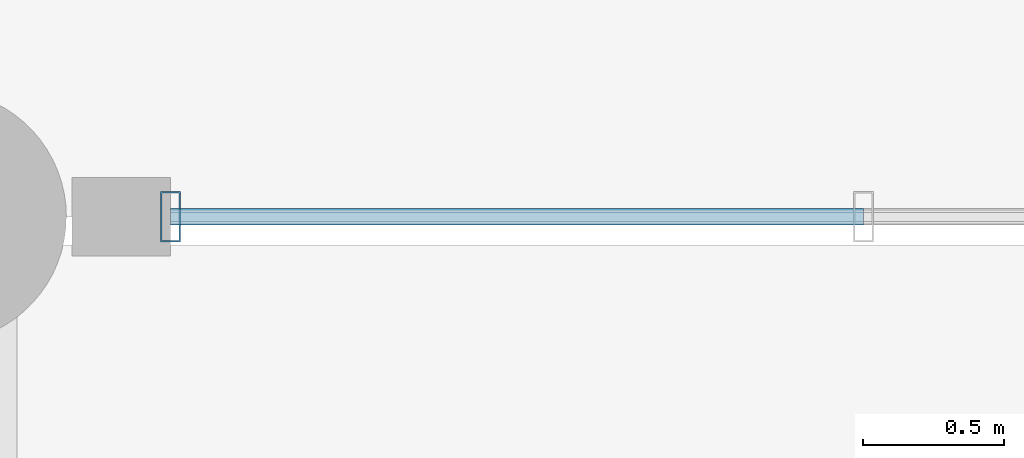
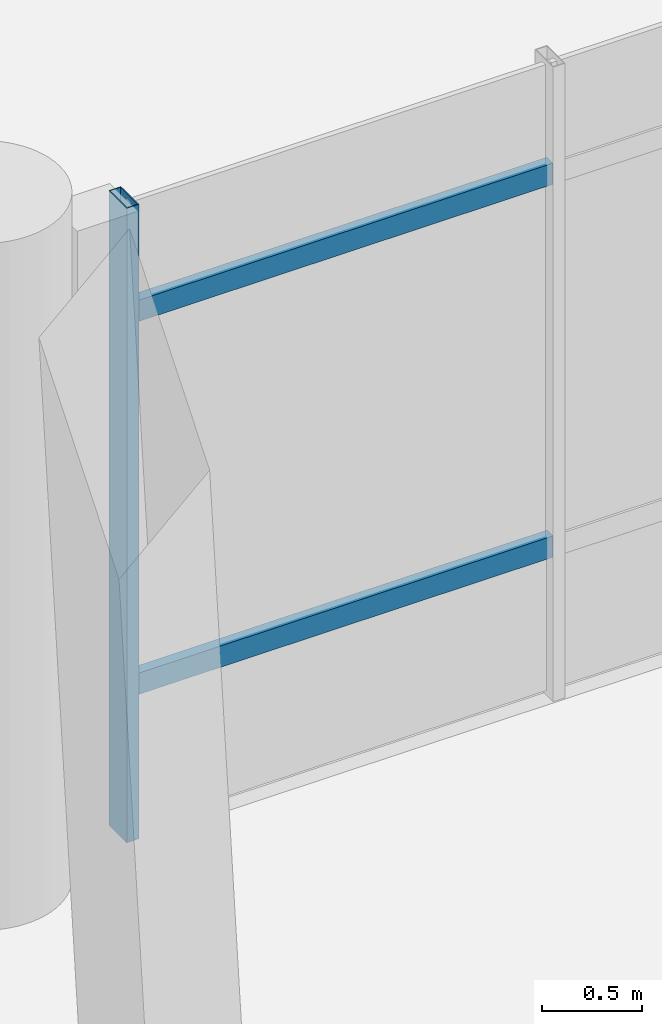
# One storey, part 18 of 109: 3 members, 1 element without a shape of its own.
"""IFC4 building model written with IfcOpenShell, lengths in metres."""

from ifc_helpers import new_model, si_unit, direction, frame, origin, origin_2d, place, context, subcontext, project, spatial, hollow_rectangle, extrude, material, material_profile, profile_set, type_object, element, aggregate, save


model = new_model("IFC4")

# Units and contexts
model_context = context("Model", 3, precision=1e-05, world=origin(), true_north=direction((0.0, 1.0)))
body_context = subcontext(model_context, "Body", "Model", "MODEL_VIEW")
ifc_project = project(units=[si_unit("LENGTHUNIT", "METRE"), si_unit("AREAUNIT", "SQUARE_METRE"), si_unit("VOLUMEUNIT", "CUBIC_METRE"), si_unit("PLANEANGLEUNIT", "RADIAN"), si_unit("MASSUNIT", "GRAM", prefix="KILO")], contexts=[model_context])

# Site, building, storey
site_placement = place(None, origin())
site = spatial("IfcSite", under=ifc_project, at=site_placement, CompositionType="ELEMENT")
building_placement = place(site_placement, origin())
building = spatial("IfcBuilding", under=site, at=building_placement, Name="Ologun Quay Terminus", CompositionType="ELEMENT")
storey_placement = place(building_placement, origin())
storey = spatial("IfcBuildingStorey", under=building, at=storey_placement, Name="L00", CompositionType="ELEMENT", Elevation=0.0)

# Curtain wall, members
ifc_material_1 = material(Name="Aluminium 6063-T6", Category="aluminium")
curtain_wall_type = type_object("IfcCurtainWallType", Name="Forecourt Arcade Curtain Wall 10700x3750", PredefinedType="USERDEFINED", material=ifc_material_1)
curtain_wall_placement = place(storey_placement, origin())
curtain_wall = element("IfcCurtainWall", 1, at=curtain_wall_placement, inside=storey, type_object=curtain_wall_type, Name="CW-03 Curtain Wall CW-L00-005", ObjectType="UNITISED CURTAIN WALL", PredefinedType="USERDEFINED")
ifc_material_2 = material(Name="Aluminium 6063-T6", Category="aluminium")
ifc_material_profile_1 = material_profile(ifc_material_2, hollow_rectangle(XDim=0.070068359375, YDim=0.179931640625, WallThickness=0.0048828125, at=origin_2d()), Name="ALU 180x70x5")
ifc_profile_set_1 = profile_set([ifc_material_profile_1], Name="Aluminium 6063-T6")
member_type_1 = type_object("IfcMemberType", Name="Curtain Wall Heavy Mullion 180x70", PredefinedType="MULLION", material=ifc_profile_set_1)
member_1_placement = place(storey_placement, frame((92.820068359375, 8.0, 0.0), z_axis=(0.0, 0.0, 1.0), x_axis=(1.0, 0.0, 0.0)))
member_1 = element("IfcMember", 2, at=member_1_placement, type_object=member_type_1, Name="CW-L00-005 Mullion 1", PredefinedType="MULLION", context=body_context, shape_type="SweptSolid", body=[
    extrude(hollow_rectangle(XDim=0.070068359375, YDim=0.179931640625, WallThickness=0.0048828125, at=origin_2d()), origin(), (0.0, 0.0, 1.0), 3.8798828125),
])
ifc_material_3 = material(Name="Aluminium 6063-T6", Category="aluminium")
ifc_material_profile_2 = material_profile(ifc_material_3, hollow_rectangle(XDim=0.06005859375, YDim=0.1298828125, WallThickness=0.00390625, at=origin_2d()), Name="ALU 130x60x4")
ifc_profile_set_2 = profile_set([ifc_material_profile_2], Name="Aluminium 6063-T6")
member_type_2 = type_object("IfcMemberType", Name="Curtain Wall Heavy Transom 130x60", PredefinedType="USERDEFINED", material=ifc_profile_set_2)
member_2_placement = place(storey_placement, frame((92.820068359375, 8.0, 0.89990234375), z_axis=(1.0, 0.0, 0.0), x_axis=(0.0, 1.0, 0.0)))
member_2 = element("IfcMember", 3, at=member_2_placement, type_object=member_type_2, Name="CW-L00-005 Transom B1-1", ObjectType="TRANSOM", PredefinedType="USERDEFINED", context=body_context, shape_type="SweptSolid", body=[
    extrude(hollow_rectangle(XDim=0.06005859375, YDim=0.1298828125, WallThickness=0.00390625, at=origin_2d()), origin(), (0.0, 0.0, 1.0), 2.46484375),
])
member_3_placement = place(storey_placement, frame((92.820068359375, 8.0, 3.179931640625), z_axis=(1.0, 0.0, 0.0), x_axis=(0.0, 1.0, 0.0)))
member_3 = element("IfcMember", 4, at=member_3_placement, type_object=member_type_2, Name="CW-L00-005 Transom B1-2", ObjectType="TRANSOM", PredefinedType="USERDEFINED", context=body_context, shape_type="SweptSolid", body=[
    extrude(hollow_rectangle(XDim=0.06005859375, YDim=0.1298828125, WallThickness=0.00390625, at=origin_2d()), origin(), (0.0, 0.0, 1.0), 2.46484375),
])
aggregate(curtain_wall, [member_1, member_2, member_3])

save(model, "model.ifc")
